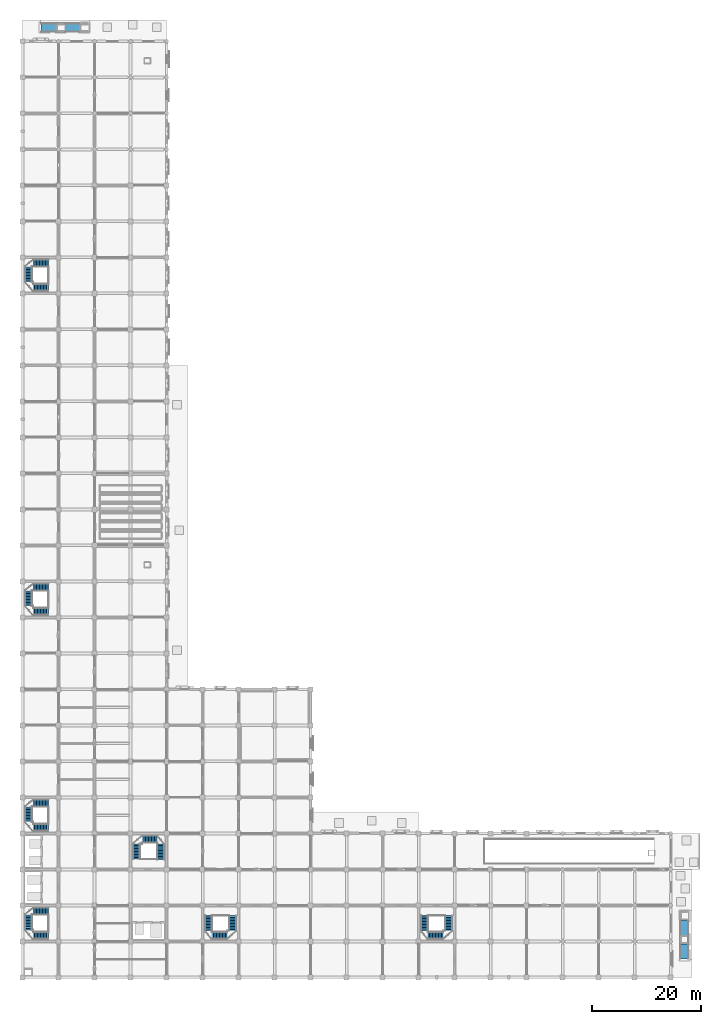
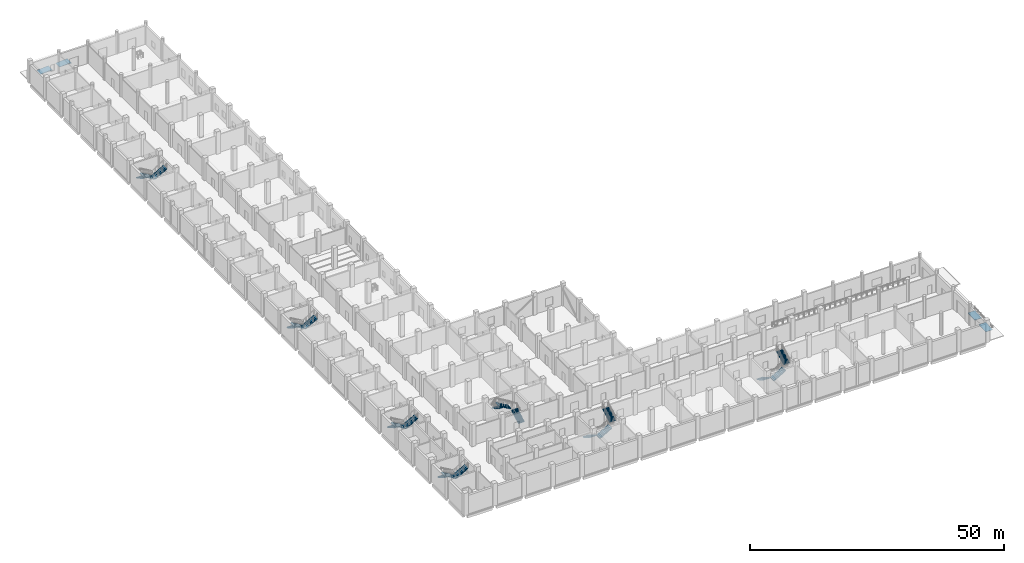
# One storey, part 19 of 28: 21 stair flights, 4 ramp flights, 9 elements without a shape of their own.
"""IFC4 building model written with IfcOpenShell, lengths in metres."""

from ifc_helpers import new_model, si_unit, direction, frame, origin, place, context, subcontext, project, spatial, polyline, outline, extrude, material, layer, layer_set, type_object, element, aggregate, save


model = new_model("IFC4")

# Units and contexts
model_context = context("Model", 3, precision=1e-05, world=origin(), true_north=direction((0.0, 1.0)))
body_context = subcontext(model_context, "Body", "Model", "MODEL_VIEW")
ifc_project = project(units=[si_unit("LENGTHUNIT", "METRE"), si_unit("AREAUNIT", "SQUARE_METRE"), si_unit("VOLUMEUNIT", "CUBIC_METRE"), si_unit("PLANEANGLEUNIT", "RADIAN"), si_unit("MASSUNIT", "GRAM", prefix="KILO")], contexts=[model_context])

# Site, building, storey
site_placement = place(None, origin())
site = spatial("IfcSite", under=ifc_project, at=site_placement, CompositionType="ELEMENT")
building_placement = place(site_placement, origin())
building = spatial("IfcBuilding", under=site, at=building_placement, Name="Rusizi Kubbe Research Institute", CompositionType="ELEMENT")
storey_placement = place(building_placement, origin())
storey = spatial("IfcBuildingStorey", under=building, at=storey_placement, Name="L00", CompositionType="ELEMENT", Elevation=0.0)

# Stair, stair flights
ifc_material_1 = material(Name="Concrete C40/50", Category="concrete")
stair_type = type_object("IfcStairType", Name="ST-H540", PredefinedType="THREE_QUARTER_TURN_STAIR", material=ifc_material_1)
stair_1_placement = place(storey_placement, origin())
stair_1 = element("IfcStair", 1, at=stair_1_placement, inside=storey, type_object=stair_type, Name="Protected Exit Stair ST1 (L00)", PredefinedType="THREE_QUARTER_TURN_STAIR")
ifc_material_2 = material(Name="Concrete C40/50", Category="concrete")
stair_flight_type = type_object("IfcStairFlightType", Name="FL-H540", PredefinedType="STRAIGHT", material=ifc_material_2)
stair_flight_1_placement = place(storey_placement, frame((4.780029296875, 12.14990234375, 0.0), z_axis=(0.0, 0.0, 1.0), x_axis=(-1.0, 0.0, 0.0)))
stair_flight_1 = element("IfcStairFlight", 2, at=stair_flight_1_placement, type_object=stair_flight_type, Name="ST1 flight 1", NumberOfRisers=11, NumberOfTreads=10, PredefinedType="STRAIGHT", RiserHeight=0.163636364, TreadLength=0.28, context=body_context, shape_type="SweptSolid", body=[
    extrude(outline(polyline([(0.0, 0.0), (0.0, 0.16357421875), (0.280029296875, 0.16357421875), (0.280029296875, 0.327392578125), (0.56005859375, 0.327392578125), (0.56005859375, 0.490966796875), (0.840087890625, 0.490966796875), (0.840087890625, 0.654541015625), (1.1201171875, 0.654541015625), (1.1201171875, 0.818115234375), (1.39990234375, 0.818115234375), (1.39990234375, 0.98193359375), (1.679931640625, 0.98193359375), (1.679931640625, 1.1455078125), (1.9599609375, 1.1455078125), (1.9599609375, 1.30908203125), (2.239990234375, 1.30908203125), (2.239990234375, 1.47265625), (2.52001953125, 1.47265625), (2.52001953125, 1.636474609375), (2.800048828125, 1.636474609375), (2.800048828125, 1.800048828125), (2.800048828125, 1.451171875), (0.31689453125, 0.0), (0.0, 0.0)])), frame((0.0, 0.699951171875, 0.0), z_axis=(0.0, -1.0, 0.0), x_axis=(1.0, 0.0, 0.0)), (0.0, 0.0, 1.0), 1.39990234375),
])
stair_flight_2_placement = place(storey_placement, frame((1.050048828125, 11.530029296875, 1.800048828125), z_axis=(0.0, 0.0, 1.0), x_axis=(0.0, -1.0, 0.0)))
stair_flight_2 = element("IfcStairFlight", 3, at=stair_flight_2_placement, type_object=stair_flight_type, Name="ST1 flight 2", NumberOfRisers=11, NumberOfTreads=10, PredefinedType="STRAIGHT", RiserHeight=0.163636364, TreadLength=0.28, context=body_context, shape_type="SweptSolid", body=[
    extrude(outline(polyline([(0.0, 0.0), (0.0, 0.16357421875), (0.280029296875, 0.16357421875), (0.280029296875, 0.327392578125), (0.56005859375, 0.327392578125), (0.56005859375, 0.490966796875), (0.840087890625, 0.490966796875), (0.840087890625, 0.654541015625), (1.1201171875, 0.654541015625), (1.1201171875, 0.818115234375), (1.39990234375, 0.818115234375), (1.39990234375, 0.98193359375), (1.679931640625, 0.98193359375), (1.679931640625, 1.1455078125), (1.9599609375, 1.1455078125), (1.9599609375, 1.30908203125), (2.239990234375, 1.30908203125), (2.239990234375, 1.47265625), (2.52001953125, 1.47265625), (2.52001953125, 1.636474609375), (2.800048828125, 1.636474609375), (2.800048828125, 1.800048828125), (2.800048828125, 1.451171875), (0.31689453125, 0.0), (0.0, 0.0)])), frame((0.0, 0.699951171875, 0.0), z_axis=(0.0, -1.0, 0.0), x_axis=(1.0, 0.0, 0.0)), (0.0, 0.0, 1.0), 1.39990234375),
])
stair_flight_3_placement = place(storey_placement, frame((1.906005859375, 7.64990234375, 3.60009765625), z_axis=(0.0, 0.0, 1.0), x_axis=(1.0, 0.0, 0.0)))
stair_flight_3 = element("IfcStairFlight", 4, at=stair_flight_3_placement, type_object=stair_flight_type, Name="ST1 flight 3", NumberOfRisers=11, NumberOfTreads=10, PredefinedType="STRAIGHT", RiserHeight=0.163636364, TreadLength=0.28, context=body_context, shape_type="SweptSolid", body=[
    extrude(outline(polyline([(0.0, 0.0), (0.0, 0.16357421875), (0.280029296875, 0.16357421875), (0.280029296875, 0.327392578125), (0.56005859375, 0.327392578125), (0.56005859375, 0.490966796875), (0.840087890625, 0.490966796875), (0.840087890625, 0.654541015625), (1.1201171875, 0.654541015625), (1.1201171875, 0.818115234375), (1.39990234375, 0.818115234375), (1.39990234375, 0.98193359375), (1.679931640625, 0.98193359375), (1.679931640625, 1.1455078125), (1.9599609375, 1.1455078125), (1.9599609375, 1.30908203125), (2.239990234375, 1.30908203125), (2.239990234375, 1.47265625), (2.52001953125, 1.47265625), (2.52001953125, 1.636474609375), (2.800048828125, 1.636474609375), (2.800048828125, 1.800048828125), (2.800048828125, 1.451171875), (0.31689453125, 0.0), (0.0, 0.0)])), frame((0.0, 0.699951171875, 0.0), z_axis=(0.0, -1.0, 0.0), x_axis=(1.0, 0.0, 0.0)), (0.0, 0.0, 1.0), 1.39990234375),
])
aggregate(stair_1, [stair_flight_1, stair_flight_2, stair_flight_3])

stair_2_placement = place(storey_placement, origin())
stair_2 = element("IfcStair", 5, at=stair_2_placement, inside=storey, type_object=stair_type, Name="Protected Exit Stair ST2 (L00)", PredefinedType="THREE_QUARTER_TURN_STAIR")
stair_flight_4_placement = place(storey_placement, frame((4.780029296875, 31.949951171875, 0.0), z_axis=(0.0, 0.0, 1.0), x_axis=(-1.0, 0.0, 0.0)))
stair_flight_4 = element("IfcStairFlight", 6, at=stair_flight_4_placement, type_object=stair_flight_type, Name="ST2 flight 1", NumberOfRisers=11, NumberOfTreads=10, PredefinedType="STRAIGHT", RiserHeight=0.163636364, TreadLength=0.28, context=body_context, shape_type="SweptSolid", body=[
    extrude(outline(polyline([(0.0, 0.0), (0.0, 0.16357421875), (0.280029296875, 0.16357421875), (0.280029296875, 0.327392578125), (0.56005859375, 0.327392578125), (0.56005859375, 0.490966796875), (0.840087890625, 0.490966796875), (0.840087890625, 0.654541015625), (1.1201171875, 0.654541015625), (1.1201171875, 0.818115234375), (1.39990234375, 0.818115234375), (1.39990234375, 0.98193359375), (1.679931640625, 0.98193359375), (1.679931640625, 1.1455078125), (1.9599609375, 1.1455078125), (1.9599609375, 1.30908203125), (2.239990234375, 1.30908203125), (2.239990234375, 1.47265625), (2.52001953125, 1.47265625), (2.52001953125, 1.636474609375), (2.800048828125, 1.636474609375), (2.800048828125, 1.800048828125), (2.800048828125, 1.451171875), (0.31689453125, 0.0), (0.0, 0.0)])), frame((0.0, 0.699951171875, 0.0), z_axis=(0.0, -1.0, 0.0), x_axis=(1.0, 0.0, 0.0)), (0.0, 0.0, 1.0), 1.39990234375),
])
stair_flight_5_placement = place(storey_placement, frame((1.050048828125, 31.330078125, 1.800048828125), z_axis=(0.0, 0.0, 1.0), x_axis=(0.0, -1.0, 0.0)))
stair_flight_5 = element("IfcStairFlight", 7, at=stair_flight_5_placement, type_object=stair_flight_type, Name="ST2 flight 2", NumberOfRisers=11, NumberOfTreads=10, PredefinedType="STRAIGHT", RiserHeight=0.163636364, TreadLength=0.28, context=body_context, shape_type="SweptSolid", body=[
    extrude(outline(polyline([(0.0, 0.0), (0.0, 0.16357421875), (0.280029296875, 0.16357421875), (0.280029296875, 0.327392578125), (0.56005859375, 0.327392578125), (0.56005859375, 0.490966796875), (0.840087890625, 0.490966796875), (0.840087890625, 0.654541015625), (1.1201171875, 0.654541015625), (1.1201171875, 0.818115234375), (1.39990234375, 0.818115234375), (1.39990234375, 0.98193359375), (1.679931640625, 0.98193359375), (1.679931640625, 1.1455078125), (1.9599609375, 1.1455078125), (1.9599609375, 1.30908203125), (2.239990234375, 1.30908203125), (2.239990234375, 1.47265625), (2.52001953125, 1.47265625), (2.52001953125, 1.636474609375), (2.800048828125, 1.636474609375), (2.800048828125, 1.800048828125), (2.800048828125, 1.451171875), (0.31689453125, 0.0), (0.0, 0.0)])), frame((0.0, 0.699951171875, 0.0), z_axis=(0.0, -1.0, 0.0), x_axis=(1.0, 0.0, 0.0)), (0.0, 0.0, 1.0), 1.39990234375),
])
stair_flight_6_placement = place(storey_placement, frame((1.906005859375, 27.449951171875, 3.60009765625), z_axis=(0.0, 0.0, 1.0), x_axis=(1.0, 0.0, 0.0)))
stair_flight_6 = element("IfcStairFlight", 8, at=stair_flight_6_placement, type_object=stair_flight_type, Name="ST2 flight 3", NumberOfRisers=11, NumberOfTreads=10, PredefinedType="STRAIGHT", RiserHeight=0.163636364, TreadLength=0.28, context=body_context, shape_type="SweptSolid", body=[
    extrude(outline(polyline([(0.0, 0.0), (0.0, 0.16357421875), (0.280029296875, 0.16357421875), (0.280029296875, 0.327392578125), (0.56005859375, 0.327392578125), (0.56005859375, 0.490966796875), (0.840087890625, 0.490966796875), (0.840087890625, 0.654541015625), (1.1201171875, 0.654541015625), (1.1201171875, 0.818115234375), (1.39990234375, 0.818115234375), (1.39990234375, 0.98193359375), (1.679931640625, 0.98193359375), (1.679931640625, 1.1455078125), (1.9599609375, 1.1455078125), (1.9599609375, 1.30908203125), (2.239990234375, 1.30908203125), (2.239990234375, 1.47265625), (2.52001953125, 1.47265625), (2.52001953125, 1.636474609375), (2.800048828125, 1.636474609375), (2.800048828125, 1.800048828125), (2.800048828125, 1.451171875), (0.31689453125, 0.0), (0.0, 0.0)])), frame((0.0, 0.699951171875, 0.0), z_axis=(0.0, -1.0, 0.0), x_axis=(1.0, 0.0, 0.0)), (0.0, 0.0, 1.0), 1.39990234375),
])
aggregate(stair_2, [stair_flight_4, stair_flight_5, stair_flight_6])

stair_3_placement = place(storey_placement, origin())
stair_3 = element("IfcStair", 9, at=stair_3_placement, inside=storey, type_object=stair_type, Name="Protected Exit Stair ST3 (L00)", PredefinedType="THREE_QUARTER_TURN_STAIR")
stair_flight_7_placement = place(storey_placement, frame((25.35009765625, 21.6201171875, 0.0), z_axis=(0.0, 0.0, 1.0), x_axis=(0.0, 1.0, 0.0)))
stair_flight_7 = element("IfcStairFlight", 10, at=stair_flight_7_placement, type_object=stair_flight_type, Name="ST3 flight 1", NumberOfRisers=11, NumberOfTreads=10, PredefinedType="STRAIGHT", RiserHeight=0.163636364, TreadLength=0.28, context=body_context, shape_type="SweptSolid", body=[
    extrude(outline(polyline([(0.0, 0.0), (0.0, 0.16357421875), (0.280029296875, 0.16357421875), (0.280029296875, 0.327392578125), (0.56005859375, 0.327392578125), (0.56005859375, 0.490966796875), (0.840087890625, 0.490966796875), (0.840087890625, 0.654541015625), (1.1201171875, 0.654541015625), (1.1201171875, 0.818115234375), (1.39990234375, 0.818115234375), (1.39990234375, 0.98193359375), (1.679931640625, 0.98193359375), (1.679931640625, 1.1455078125), (1.9599609375, 1.1455078125), (1.9599609375, 1.30908203125), (2.239990234375, 1.30908203125), (2.239990234375, 1.47265625), (2.52001953125, 1.47265625), (2.52001953125, 1.636474609375), (2.800048828125, 1.636474609375), (2.800048828125, 1.800048828125), (2.800048828125, 1.451171875), (0.31689453125, 0.0), (0.0, 0.0)])), frame((0.0, 0.699951171875, 0.0), z_axis=(0.0, -1.0, 0.0), x_axis=(1.0, 0.0, 0.0)), (0.0, 0.0, 1.0), 1.39990234375),
])
stair_flight_8_placement = place(storey_placement, frame((24.72998046875, 25.35009765625, 1.800048828125), z_axis=(0.0, 0.0, 1.0), x_axis=(-1.0, 0.0, 0.0)))
stair_flight_8 = element("IfcStairFlight", 11, at=stair_flight_8_placement, type_object=stair_flight_type, Name="ST3 flight 2", NumberOfRisers=11, NumberOfTreads=10, PredefinedType="STRAIGHT", RiserHeight=0.163636364, TreadLength=0.28, context=body_context, shape_type="SweptSolid", body=[
    extrude(outline(polyline([(0.0, 0.0), (0.0, 0.16357421875), (0.280029296875, 0.16357421875), (0.280029296875, 0.327392578125), (0.56005859375, 0.327392578125), (0.56005859375, 0.490966796875), (0.840087890625, 0.490966796875), (0.840087890625, 0.654541015625), (1.1201171875, 0.654541015625), (1.1201171875, 0.818115234375), (1.39990234375, 0.818115234375), (1.39990234375, 0.98193359375), (1.679931640625, 0.98193359375), (1.679931640625, 1.1455078125), (1.9599609375, 1.1455078125), (1.9599609375, 1.30908203125), (2.239990234375, 1.30908203125), (2.239990234375, 1.47265625), (2.52001953125, 1.47265625), (2.52001953125, 1.636474609375), (2.800048828125, 1.636474609375), (2.800048828125, 1.800048828125), (2.800048828125, 1.451171875), (0.31689453125, 0.0), (0.0, 0.0)])), frame((0.0, 0.699951171875, 0.0), z_axis=(0.0, -1.0, 0.0), x_axis=(1.0, 0.0, 0.0)), (0.0, 0.0, 1.0), 1.39990234375),
])
stair_flight_9_placement = place(storey_placement, frame((20.85009765625, 24.493896484375, 3.60009765625), z_axis=(0.0, 0.0, 1.0), x_axis=(0.0, -1.0, 0.0)))
stair_flight_9 = element("IfcStairFlight", 12, at=stair_flight_9_placement, type_object=stair_flight_type, Name="ST3 flight 3", NumberOfRisers=11, NumberOfTreads=10, PredefinedType="STRAIGHT", RiserHeight=0.163636364, TreadLength=0.28, context=body_context, shape_type="SweptSolid", body=[
    extrude(outline(polyline([(0.0, 0.0), (0.0, 0.16357421875), (0.280029296875, 0.16357421875), (0.280029296875, 0.327392578125), (0.56005859375, 0.327392578125), (0.56005859375, 0.490966796875), (0.840087890625, 0.490966796875), (0.840087890625, 0.654541015625), (1.1201171875, 0.654541015625), (1.1201171875, 0.818115234375), (1.39990234375, 0.818115234375), (1.39990234375, 0.98193359375), (1.679931640625, 0.98193359375), (1.679931640625, 1.1455078125), (1.9599609375, 1.1455078125), (1.9599609375, 1.30908203125), (2.239990234375, 1.30908203125), (2.239990234375, 1.47265625), (2.52001953125, 1.47265625), (2.52001953125, 1.636474609375), (2.800048828125, 1.636474609375), (2.800048828125, 1.800048828125), (2.800048828125, 1.451171875), (0.31689453125, 0.0), (0.0, 0.0)])), frame((0.0, 0.699951171875, 0.0), z_axis=(0.0, -1.0, 0.0), x_axis=(1.0, 0.0, 0.0)), (0.0, 0.0, 1.0), 1.39990234375),
])
aggregate(stair_3, [stair_flight_7, stair_flight_8, stair_flight_9])

stair_4_placement = place(storey_placement, origin())
stair_4 = element("IfcStair", 13, at=stair_4_placement, inside=storey, type_object=stair_type, Name="Protected Exit Stair ST4 (L00)", PredefinedType="THREE_QUARTER_TURN_STAIR")
stair_flight_10_placement = place(storey_placement, frame((34.050048828125, 11.3798828125, 0.0), z_axis=(0.0, 0.0, 1.0), x_axis=(0.0, -1.0, 0.0)))
stair_flight_10 = element("IfcStairFlight", 14, at=stair_flight_10_placement, type_object=stair_flight_type, Name="ST4 flight 1", NumberOfRisers=11, NumberOfTreads=10, PredefinedType="STRAIGHT", RiserHeight=0.163636364, TreadLength=0.28, context=body_context, shape_type="SweptSolid", body=[
    extrude(outline(polyline([(0.0, 0.0), (0.0, 0.16357421875), (0.280029296875, 0.16357421875), (0.280029296875, 0.327392578125), (0.56005859375, 0.327392578125), (0.56005859375, 0.490966796875), (0.840087890625, 0.490966796875), (0.840087890625, 0.654541015625), (1.1201171875, 0.654541015625), (1.1201171875, 0.818115234375), (1.39990234375, 0.818115234375), (1.39990234375, 0.98193359375), (1.679931640625, 0.98193359375), (1.679931640625, 1.1455078125), (1.9599609375, 1.1455078125), (1.9599609375, 1.30908203125), (2.239990234375, 1.30908203125), (2.239990234375, 1.47265625), (2.52001953125, 1.47265625), (2.52001953125, 1.636474609375), (2.800048828125, 1.636474609375), (2.800048828125, 1.800048828125), (2.800048828125, 1.451171875), (0.31689453125, 0.0), (0.0, 0.0)])), frame((0.0, 0.699951171875, 0.0), z_axis=(0.0, -1.0, 0.0), x_axis=(1.0, 0.0, 0.0)), (0.0, 0.0, 1.0), 1.39990234375),
])
stair_flight_11_placement = place(storey_placement, frame((34.669921875, 7.64990234375, 1.800048828125), z_axis=(0.0, 0.0, 1.0), x_axis=(1.0, 0.0, 0.0)))
stair_flight_11 = element("IfcStairFlight", 15, at=stair_flight_11_placement, type_object=stair_flight_type, Name="ST4 flight 2", NumberOfRisers=11, NumberOfTreads=10, PredefinedType="STRAIGHT", RiserHeight=0.163636364, TreadLength=0.28, context=body_context, shape_type="SweptSolid", body=[
    extrude(outline(polyline([(0.0, 0.0), (0.0, 0.16357421875), (0.280029296875, 0.16357421875), (0.280029296875, 0.327392578125), (0.56005859375, 0.327392578125), (0.56005859375, 0.490966796875), (0.840087890625, 0.490966796875), (0.840087890625, 0.654541015625), (1.1201171875, 0.654541015625), (1.1201171875, 0.818115234375), (1.39990234375, 0.818115234375), (1.39990234375, 0.98193359375), (1.679931640625, 0.98193359375), (1.679931640625, 1.1455078125), (1.9599609375, 1.1455078125), (1.9599609375, 1.30908203125), (2.239990234375, 1.30908203125), (2.239990234375, 1.47265625), (2.52001953125, 1.47265625), (2.52001953125, 1.636474609375), (2.800048828125, 1.636474609375), (2.800048828125, 1.800048828125), (2.800048828125, 1.451171875), (0.31689453125, 0.0), (0.0, 0.0)])), frame((0.0, 0.699951171875, 0.0), z_axis=(0.0, -1.0, 0.0), x_axis=(1.0, 0.0, 0.0)), (0.0, 0.0, 1.0), 1.39990234375),
])
stair_flight_12_placement = place(storey_placement, frame((38.550048828125, 8.506103515625, 3.60009765625), z_axis=(0.0, 0.0, 1.0), x_axis=(0.0, 1.0, 0.0)))
stair_flight_12 = element("IfcStairFlight", 16, at=stair_flight_12_placement, type_object=stair_flight_type, Name="ST4 flight 3", NumberOfRisers=11, NumberOfTreads=10, PredefinedType="STRAIGHT", RiserHeight=0.163636364, TreadLength=0.28, context=body_context, shape_type="SweptSolid", body=[
    extrude(outline(polyline([(0.0, 0.0), (0.0, 0.16357421875), (0.280029296875, 0.16357421875), (0.280029296875, 0.327392578125), (0.56005859375, 0.327392578125), (0.56005859375, 0.490966796875), (0.840087890625, 0.490966796875), (0.840087890625, 0.654541015625), (1.1201171875, 0.654541015625), (1.1201171875, 0.818115234375), (1.39990234375, 0.818115234375), (1.39990234375, 0.98193359375), (1.679931640625, 0.98193359375), (1.679931640625, 1.1455078125), (1.9599609375, 1.1455078125), (1.9599609375, 1.30908203125), (2.239990234375, 1.30908203125), (2.239990234375, 1.47265625), (2.52001953125, 1.47265625), (2.52001953125, 1.636474609375), (2.800048828125, 1.636474609375), (2.800048828125, 1.800048828125), (2.800048828125, 1.451171875), (0.31689453125, 0.0), (0.0, 0.0)])), frame((0.0, 0.699951171875, 0.0), z_axis=(0.0, -1.0, 0.0), x_axis=(1.0, 0.0, 0.0)), (0.0, 0.0, 1.0), 1.39990234375),
])
aggregate(stair_4, [stair_flight_10, stair_flight_11, stair_flight_12])

stair_5_placement = place(storey_placement, origin())
stair_5 = element("IfcStair", 17, at=stair_5_placement, inside=storey, type_object=stair_type, Name="Protected Exit Stair ST5 (L00)", PredefinedType="THREE_QUARTER_TURN_STAIR")
stair_flight_13_placement = place(storey_placement, frame((4.780029296875, 71.550048828125, 0.0), z_axis=(0.0, 0.0, 1.0), x_axis=(-1.0, 0.0, 0.0)))
stair_flight_13 = element("IfcStairFlight", 18, at=stair_flight_13_placement, type_object=stair_flight_type, Name="ST5 flight 1", NumberOfRisers=11, NumberOfTreads=10, PredefinedType="STRAIGHT", RiserHeight=0.163636364, TreadLength=0.28, context=body_context, shape_type="SweptSolid", body=[
    extrude(outline(polyline([(0.0, 0.0), (0.0, 0.16357421875), (0.280029296875, 0.16357421875), (0.280029296875, 0.327392578125), (0.56005859375, 0.327392578125), (0.56005859375, 0.490966796875), (0.840087890625, 0.490966796875), (0.840087890625, 0.654541015625), (1.1201171875, 0.654541015625), (1.1201171875, 0.818115234375), (1.39990234375, 0.818115234375), (1.39990234375, 0.98193359375), (1.679931640625, 0.98193359375), (1.679931640625, 1.1455078125), (1.9599609375, 1.1455078125), (1.9599609375, 1.30908203125), (2.239990234375, 1.30908203125), (2.239990234375, 1.47265625), (2.52001953125, 1.47265625), (2.52001953125, 1.636474609375), (2.800048828125, 1.636474609375), (2.800048828125, 1.800048828125), (2.800048828125, 1.451171875), (0.31689453125, 0.0), (0.0, 0.0)])), frame((0.0, 0.699951171875, 0.0), z_axis=(0.0, -1.0, 0.0), x_axis=(1.0, 0.0, 0.0)), (0.0, 0.0, 1.0), 1.39990234375),
])
stair_flight_14_placement = place(storey_placement, frame((1.050048828125, 70.929931640625, 1.800048828125), z_axis=(0.0, 0.0, 1.0), x_axis=(0.0, -1.0, 0.0)))
stair_flight_14 = element("IfcStairFlight", 19, at=stair_flight_14_placement, type_object=stair_flight_type, Name="ST5 flight 2", NumberOfRisers=11, NumberOfTreads=10, PredefinedType="STRAIGHT", RiserHeight=0.163636364, TreadLength=0.28, context=body_context, shape_type="SweptSolid", body=[
    extrude(outline(polyline([(0.0, 0.0), (0.0, 0.16357421875), (0.280029296875, 0.16357421875), (0.280029296875, 0.327392578125), (0.56005859375, 0.327392578125), (0.56005859375, 0.490966796875), (0.840087890625, 0.490966796875), (0.840087890625, 0.654541015625), (1.1201171875, 0.654541015625), (1.1201171875, 0.818115234375), (1.39990234375, 0.818115234375), (1.39990234375, 0.98193359375), (1.679931640625, 0.98193359375), (1.679931640625, 1.1455078125), (1.9599609375, 1.1455078125), (1.9599609375, 1.30908203125), (2.239990234375, 1.30908203125), (2.239990234375, 1.47265625), (2.52001953125, 1.47265625), (2.52001953125, 1.636474609375), (2.800048828125, 1.636474609375), (2.800048828125, 1.800048828125), (2.800048828125, 1.451171875), (0.31689453125, 0.0), (0.0, 0.0)])), frame((0.0, 0.699951171875, 0.0), z_axis=(0.0, -1.0, 0.0), x_axis=(1.0, 0.0, 0.0)), (0.0, 0.0, 1.0), 1.39990234375),
])
stair_flight_15_placement = place(storey_placement, frame((1.906005859375, 67.050048828125, 3.60009765625), z_axis=(0.0, 0.0, 1.0), x_axis=(1.0, 0.0, 0.0)))
stair_flight_15 = element("IfcStairFlight", 20, at=stair_flight_15_placement, type_object=stair_flight_type, Name="ST5 flight 3", NumberOfRisers=11, NumberOfTreads=10, PredefinedType="STRAIGHT", RiserHeight=0.163636364, TreadLength=0.28, context=body_context, shape_type="SweptSolid", body=[
    extrude(outline(polyline([(0.0, 0.0), (0.0, 0.16357421875), (0.280029296875, 0.16357421875), (0.280029296875, 0.327392578125), (0.56005859375, 0.327392578125), (0.56005859375, 0.490966796875), (0.840087890625, 0.490966796875), (0.840087890625, 0.654541015625), (1.1201171875, 0.654541015625), (1.1201171875, 0.818115234375), (1.39990234375, 0.818115234375), (1.39990234375, 0.98193359375), (1.679931640625, 0.98193359375), (1.679931640625, 1.1455078125), (1.9599609375, 1.1455078125), (1.9599609375, 1.30908203125), (2.239990234375, 1.30908203125), (2.239990234375, 1.47265625), (2.52001953125, 1.47265625), (2.52001953125, 1.636474609375), (2.800048828125, 1.636474609375), (2.800048828125, 1.800048828125), (2.800048828125, 1.451171875), (0.31689453125, 0.0), (0.0, 0.0)])), frame((0.0, 0.699951171875, 0.0), z_axis=(0.0, -1.0, 0.0), x_axis=(1.0, 0.0, 0.0)), (0.0, 0.0, 1.0), 1.39990234375),
])
aggregate(stair_5, [stair_flight_13, stair_flight_14, stair_flight_15])

stair_6_placement = place(storey_placement, origin())
stair_6 = element("IfcStair", 21, at=stair_6_placement, inside=storey, type_object=stair_type, Name="Protected Exit Stair ST6 (L00)", PredefinedType="THREE_QUARTER_TURN_STAIR")
stair_flight_16_placement = place(storey_placement, frame((4.780029296875, 130.949951171875, 0.0), z_axis=(0.0, 0.0, 1.0), x_axis=(-1.0, 0.0, 0.0)))
stair_flight_16 = element("IfcStairFlight", 22, at=stair_flight_16_placement, type_object=stair_flight_type, Name="ST6 flight 1", NumberOfRisers=11, NumberOfTreads=10, PredefinedType="STRAIGHT", RiserHeight=0.163636364, TreadLength=0.28, context=body_context, shape_type="SweptSolid", body=[
    extrude(outline(polyline([(0.0, 0.0), (0.0, 0.16357421875), (0.280029296875, 0.16357421875), (0.280029296875, 0.327392578125), (0.56005859375, 0.327392578125), (0.56005859375, 0.490966796875), (0.840087890625, 0.490966796875), (0.840087890625, 0.654541015625), (1.1201171875, 0.654541015625), (1.1201171875, 0.818115234375), (1.39990234375, 0.818115234375), (1.39990234375, 0.98193359375), (1.679931640625, 0.98193359375), (1.679931640625, 1.1455078125), (1.9599609375, 1.1455078125), (1.9599609375, 1.30908203125), (2.239990234375, 1.30908203125), (2.239990234375, 1.47265625), (2.52001953125, 1.47265625), (2.52001953125, 1.636474609375), (2.800048828125, 1.636474609375), (2.800048828125, 1.800048828125), (2.800048828125, 1.451171875), (0.31689453125, 0.0), (0.0, 0.0)])), frame((0.0, 0.699951171875, 0.0), z_axis=(0.0, -1.0, 0.0), x_axis=(1.0, 0.0, 0.0)), (0.0, 0.0, 1.0), 1.39990234375),
])
stair_flight_17_placement = place(storey_placement, frame((1.050048828125, 130.330078125, 1.800048828125), z_axis=(0.0, 0.0, 1.0), x_axis=(0.0, -1.0, 0.0)))
stair_flight_17 = element("IfcStairFlight", 23, at=stair_flight_17_placement, type_object=stair_flight_type, Name="ST6 flight 2", NumberOfRisers=11, NumberOfTreads=10, PredefinedType="STRAIGHT", RiserHeight=0.163636364, TreadLength=0.28, context=body_context, shape_type="SweptSolid", body=[
    extrude(outline(polyline([(0.0, 0.0), (0.0, 0.16357421875), (0.280029296875, 0.16357421875), (0.280029296875, 0.327392578125), (0.56005859375, 0.327392578125), (0.56005859375, 0.490966796875), (0.840087890625, 0.490966796875), (0.840087890625, 0.654541015625), (1.1201171875, 0.654541015625), (1.1201171875, 0.818115234375), (1.39990234375, 0.818115234375), (1.39990234375, 0.98193359375), (1.679931640625, 0.98193359375), (1.679931640625, 1.1455078125), (1.9599609375, 1.1455078125), (1.9599609375, 1.30908203125), (2.239990234375, 1.30908203125), (2.239990234375, 1.47265625), (2.52001953125, 1.47265625), (2.52001953125, 1.636474609375), (2.800048828125, 1.636474609375), (2.800048828125, 1.800048828125), (2.800048828125, 1.451171875), (0.31689453125, 0.0), (0.0, 0.0)])), frame((0.0, 0.699951171875, 0.0), z_axis=(0.0, -1.0, 0.0), x_axis=(1.0, 0.0, 0.0)), (0.0, 0.0, 1.0), 1.39990234375),
])
stair_flight_18_placement = place(storey_placement, frame((1.906005859375, 126.449951171875, 3.60009765625), z_axis=(0.0, 0.0, 1.0), x_axis=(1.0, 0.0, 0.0)))
stair_flight_18 = element("IfcStairFlight", 24, at=stair_flight_18_placement, type_object=stair_flight_type, Name="ST6 flight 3", NumberOfRisers=11, NumberOfTreads=10, PredefinedType="STRAIGHT", RiserHeight=0.163636364, TreadLength=0.28, context=body_context, shape_type="SweptSolid", body=[
    extrude(outline(polyline([(0.0, 0.0), (0.0, 0.16357421875), (0.280029296875, 0.16357421875), (0.280029296875, 0.327392578125), (0.56005859375, 0.327392578125), (0.56005859375, 0.490966796875), (0.840087890625, 0.490966796875), (0.840087890625, 0.654541015625), (1.1201171875, 0.654541015625), (1.1201171875, 0.818115234375), (1.39990234375, 0.818115234375), (1.39990234375, 0.98193359375), (1.679931640625, 0.98193359375), (1.679931640625, 1.1455078125), (1.9599609375, 1.1455078125), (1.9599609375, 1.30908203125), (2.239990234375, 1.30908203125), (2.239990234375, 1.47265625), (2.52001953125, 1.47265625), (2.52001953125, 1.636474609375), (2.800048828125, 1.636474609375), (2.800048828125, 1.800048828125), (2.800048828125, 1.451171875), (0.31689453125, 0.0), (0.0, 0.0)])), frame((0.0, 0.699951171875, 0.0), z_axis=(0.0, -1.0, 0.0), x_axis=(1.0, 0.0, 0.0)), (0.0, 0.0, 1.0), 1.39990234375),
])
aggregate(stair_6, [stair_flight_16, stair_flight_17, stair_flight_18])

stair_7_placement = place(storey_placement, origin())
stair_7 = element("IfcStair", 25, at=stair_7_placement, inside=storey, type_object=stair_type, Name="Protected Exit Stair ST7 (L00)", PredefinedType="THREE_QUARTER_TURN_STAIR")
stair_flight_19_placement = place(storey_placement, frame((73.64990234375, 11.3798828125, 0.0), z_axis=(0.0, 0.0, 1.0), x_axis=(0.0, -1.0, 0.0)))
stair_flight_19 = element("IfcStairFlight", 26, at=stair_flight_19_placement, type_object=stair_flight_type, Name="ST7 flight 1", NumberOfRisers=11, NumberOfTreads=10, PredefinedType="STRAIGHT", RiserHeight=0.163636364, TreadLength=0.28, context=body_context, shape_type="SweptSolid", body=[
    extrude(outline(polyline([(0.0, 0.0), (0.0, 0.16357421875), (0.280029296875, 0.16357421875), (0.280029296875, 0.327392578125), (0.56005859375, 0.327392578125), (0.56005859375, 0.490966796875), (0.840087890625, 0.490966796875), (0.840087890625, 0.654541015625), (1.1201171875, 0.654541015625), (1.1201171875, 0.818115234375), (1.39990234375, 0.818115234375), (1.39990234375, 0.98193359375), (1.679931640625, 0.98193359375), (1.679931640625, 1.1455078125), (1.9599609375, 1.1455078125), (1.9599609375, 1.30908203125), (2.239990234375, 1.30908203125), (2.239990234375, 1.47265625), (2.52001953125, 1.47265625), (2.52001953125, 1.636474609375), (2.800048828125, 1.636474609375), (2.800048828125, 1.800048828125), (2.800048828125, 1.451171875), (0.31689453125, 0.0), (0.0, 0.0)])), frame((0.0, 0.699951171875, 0.0), z_axis=(0.0, -1.0, 0.0), x_axis=(1.0, 0.0, 0.0)), (0.0, 0.0, 1.0), 1.39990234375),
])
stair_flight_20_placement = place(storey_placement, frame((74.27001953125, 7.64990234375, 1.800048828125), z_axis=(0.0, 0.0, 1.0), x_axis=(1.0, 0.0, 0.0)))
stair_flight_20 = element("IfcStairFlight", 27, at=stair_flight_20_placement, type_object=stair_flight_type, Name="ST7 flight 2", NumberOfRisers=11, NumberOfTreads=10, PredefinedType="STRAIGHT", RiserHeight=0.163636364, TreadLength=0.28, context=body_context, shape_type="SweptSolid", body=[
    extrude(outline(polyline([(0.0, 0.0), (0.0, 0.16357421875), (0.280029296875, 0.16357421875), (0.280029296875, 0.327392578125), (0.56005859375, 0.327392578125), (0.56005859375, 0.490966796875), (0.840087890625, 0.490966796875), (0.840087890625, 0.654541015625), (1.1201171875, 0.654541015625), (1.1201171875, 0.818115234375), (1.39990234375, 0.818115234375), (1.39990234375, 0.98193359375), (1.679931640625, 0.98193359375), (1.679931640625, 1.1455078125), (1.9599609375, 1.1455078125), (1.9599609375, 1.30908203125), (2.239990234375, 1.30908203125), (2.239990234375, 1.47265625), (2.52001953125, 1.47265625), (2.52001953125, 1.636474609375), (2.800048828125, 1.636474609375), (2.800048828125, 1.800048828125), (2.800048828125, 1.451171875), (0.31689453125, 0.0), (0.0, 0.0)])), frame((0.0, 0.699951171875, 0.0), z_axis=(0.0, -1.0, 0.0), x_axis=(1.0, 0.0, 0.0)), (0.0, 0.0, 1.0), 1.39990234375),
])
stair_flight_21_placement = place(storey_placement, frame((78.14990234375, 8.506103515625, 3.60009765625), z_axis=(0.0, 0.0, 1.0), x_axis=(0.0, 1.0, 0.0)))
stair_flight_21 = element("IfcStairFlight", 28, at=stair_flight_21_placement, type_object=stair_flight_type, Name="ST7 flight 3", NumberOfRisers=11, NumberOfTreads=10, PredefinedType="STRAIGHT", RiserHeight=0.163636364, TreadLength=0.28, context=body_context, shape_type="SweptSolid", body=[
    extrude(outline(polyline([(0.0, 0.0), (0.0, 0.16357421875), (0.280029296875, 0.16357421875), (0.280029296875, 0.327392578125), (0.56005859375, 0.327392578125), (0.56005859375, 0.490966796875), (0.840087890625, 0.490966796875), (0.840087890625, 0.654541015625), (1.1201171875, 0.654541015625), (1.1201171875, 0.818115234375), (1.39990234375, 0.818115234375), (1.39990234375, 0.98193359375), (1.679931640625, 0.98193359375), (1.679931640625, 1.1455078125), (1.9599609375, 1.1455078125), (1.9599609375, 1.30908203125), (2.239990234375, 1.30908203125), (2.239990234375, 1.47265625), (2.52001953125, 1.47265625), (2.52001953125, 1.636474609375), (2.800048828125, 1.636474609375), (2.800048828125, 1.800048828125), (2.800048828125, 1.451171875), (0.31689453125, 0.0), (0.0, 0.0)])), frame((0.0, 0.699951171875, 0.0), z_axis=(0.0, -1.0, 0.0), x_axis=(1.0, 0.0, 0.0)), (0.0, 0.0, 1.0), 1.39990234375),
])
aggregate(stair_7, [stair_flight_19, stair_flight_20, stair_flight_21])

# Ramp, ramp flights
ifc_material_3 = material(Name="Concrete C40/50", Category="concrete")
ramp_type = type_object("IfcRampType", Name="RP-PED", PredefinedType="TWO_STRAIGHT_RUN_RAMP", material=ifc_material_3)
ramp_1_placement = place(storey_placement, origin())
ramp_1 = element("IfcRamp", 29, at=ramp_1_placement, inside=storey, type_object=ramp_type, Name="Accessible Ramp RAMP-NORTH-01", PredefinedType="TWO_STRAIGHT_RUN_RAMP")
ifc_material_4 = material(Name="Concrete C40/50", Category="concrete")
ifc_layer = layer(ifc_material_4, 0.199951171875)
ifc_layer_set = layer_set([ifc_layer], Name="Concrete C40/50")
ramp_flight_type = type_object("IfcRampFlightType", Name="RPF-PED", PredefinedType="STRAIGHT", material=ifc_layer_set)
ramp_flight_1_placement = place(storey_placement, frame((3.39990234375, 174.10009765625, -0.419921875), z_axis=(0.0, 0.0, 1.0), x_axis=(1.0, 0.0, 0.0)))
ramp_flight_1 = element("IfcRampFlight", 30, at=ramp_flight_1_placement, type_object=ramp_flight_type, Name="RP-01 flight 1", PredefinedType="STRAIGHT", context=body_context, shape_type="SweptSolid", body=[
    extrude(outline(polyline([(0.0, -0.014892578125), (0.0, 0.0), (2.699951171875, 0.2099609375), (2.699951171875, 0.010009765625), (1.215087890625, -0.014892578125), (0.0, -0.014892578125)])), frame((0.0, 0.800048828125, 0.0), z_axis=(0.0, -1.0, 0.0), x_axis=(1.0, 0.0, 0.0)), (0.0, 0.0, 1.0), 1.60009765625),
])
ramp_flight_2_placement = place(storey_placement, frame((7.699951171875, 174.10009765625, -0.2099609375), z_axis=(0.0, 0.0, 1.0), x_axis=(1.0, 0.0, 0.0)))
ramp_flight_2 = element("IfcRampFlight", 31, at=ramp_flight_2_placement, type_object=ramp_flight_type, Name="RP-01 flight 2", PredefinedType="STRAIGHT", context=body_context, shape_type="SweptSolid", body=[
    extrude(outline(polyline([(0.0, -0.014892578125), (0.0, 0.0), (2.699951171875, 0.2099609375), (2.699951171875, 0.010009765625), (1.215087890625, -0.014892578125), (0.0, -0.014892578125)])), frame((0.0, 0.800048828125, 0.0), z_axis=(0.0, -1.0, 0.0), x_axis=(1.0, 0.0, 0.0)), (0.0, 0.0, 1.0), 1.60009765625),
])
aggregate(ramp_1, [ramp_flight_1, ramp_flight_2])

ramp_2_placement = place(storey_placement, origin())
ramp_2 = element("IfcRamp", 32, at=ramp_2_placement, inside=storey, type_object=ramp_type, Name="Accessible Ramp RAMP-EAST-01", PredefinedType="TWO_STRAIGHT_RUN_RAMP")
ramp_flight_3_placement = place(storey_placement, frame((121.300048828125, 3.39990234375, -0.419921875), z_axis=(0.0, 0.0, 1.0), x_axis=(0.0, 1.0, 0.0)))
ramp_flight_3 = element("IfcRampFlight", 33, at=ramp_flight_3_placement, type_object=ramp_flight_type, Name="RP-01 flight 1", PredefinedType="STRAIGHT", context=body_context, shape_type="SweptSolid", body=[
    extrude(outline(polyline([(0.0, -0.014892578125), (0.0, 0.0), (2.699951171875, 0.2099609375), (2.699951171875, 0.010009765625), (1.215087890625, -0.014892578125), (0.0, -0.014892578125)])), frame((0.0, 0.800048828125, 0.0), z_axis=(0.0, -1.0, 0.0), x_axis=(1.0, 0.0, 0.0)), (0.0, 0.0, 1.0), 1.60009765625),
])
ramp_flight_4_placement = place(storey_placement, frame((121.300048828125, 7.699951171875, -0.2099609375), z_axis=(0.0, 0.0, 1.0), x_axis=(0.0, 1.0, 0.0)))
ramp_flight_4 = element("IfcRampFlight", 34, at=ramp_flight_4_placement, type_object=ramp_flight_type, Name="RP-01 flight 2", PredefinedType="STRAIGHT", context=body_context, shape_type="SweptSolid", body=[
    extrude(outline(polyline([(0.0, -0.014892578125), (0.0, 0.0), (2.699951171875, 0.2099609375), (2.699951171875, 0.010009765625), (1.215087890625, -0.014892578125), (0.0, -0.014892578125)])), frame((0.0, 0.800048828125, 0.0), z_axis=(0.0, -1.0, 0.0), x_axis=(1.0, 0.0, 0.0)), (0.0, 0.0, 1.0), 1.60009765625),
])
aggregate(ramp_2, [ramp_flight_3, ramp_flight_4])

save(model, "model.ifc")
